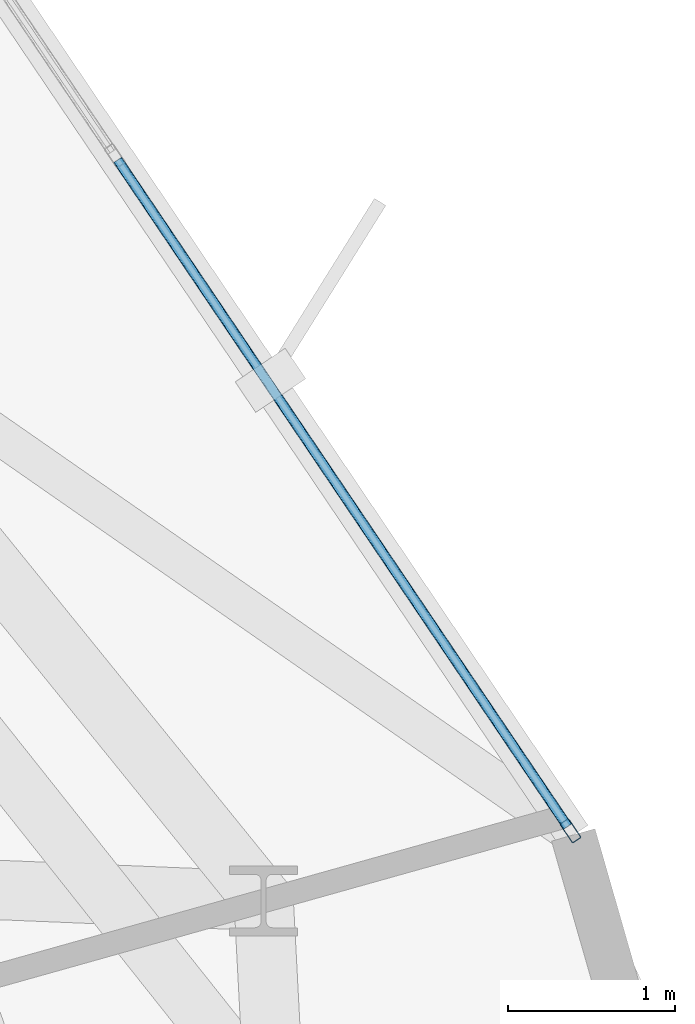
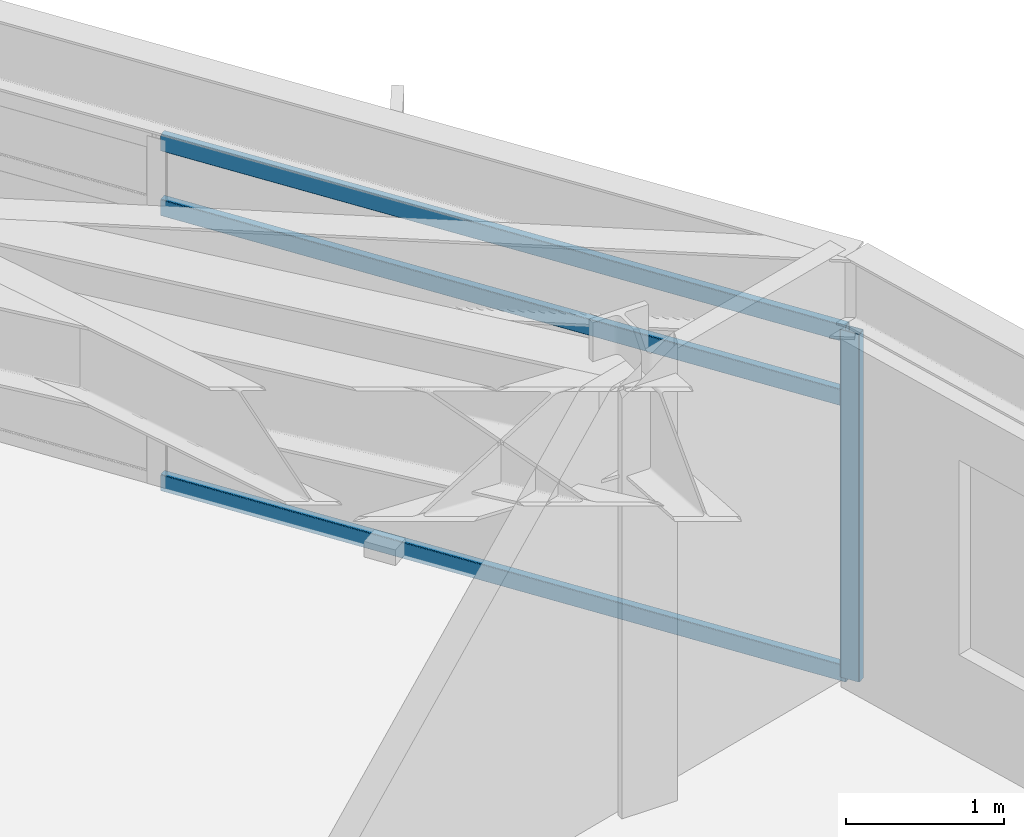
# One storey, part 15 of 30: 4 members, 1 element without a shape of its own.
"""IFC4 building model written with IfcOpenShell, lengths in metres."""

from ifc_helpers import new_model, si_unit, direction, frame, origin, origin_2d, place, context, subcontext, project, spatial, hollow_rectangle, extrude, material, layer, layer_set, material_profile, profile_set, type_object, element, aggregate, save


model = new_model("IFC4")

# Units and contexts
model_context = context("Model", 3, precision=1e-05, world=origin(), true_north=direction((0.0, 1.0)))
body_context = subcontext(model_context, "Body", "Model", "MODEL_VIEW")
ifc_project = project(units=[si_unit("LENGTHUNIT", "METRE"), si_unit("AREAUNIT", "SQUARE_METRE"), si_unit("VOLUMEUNIT", "CUBIC_METRE"), si_unit("PLANEANGLEUNIT", "RADIAN"), si_unit("MASSUNIT", "GRAM", prefix="KILO")], contexts=[model_context])

# Site, building, storey
site_placement = place(None, origin())
site = spatial("IfcSite", under=ifc_project, at=site_placement, CompositionType="ELEMENT")
building_placement = place(site_placement, origin())
building = spatial("IfcBuilding", under=site, at=building_placement, Name="Soratama Intermodal Tower", CompositionType="ELEMENT")
storey_placement = place(building_placement, frame((0.0, 0.0, 223.0)))
storey = spatial("IfcBuildingStorey", under=building, at=storey_placement, Name="L56", CompositionType="ELEMENT", Elevation=223.0)

# Curtain wall, members
ifc_material_1 = material(Name="Double-glazed aluminium curtain wall", Category="aluminium")
ifc_layer = layer(ifc_material_1, 0.159912109375)
ifc_layer_set = layer_set([ifc_layer], Name="Double-glazed aluminium curtain wall")
curtain_wall_type = type_object("IfcCurtainWallType", Name="CW-SYS-5", PredefinedType="NOTDEFINED", material=ifc_layer_set)
curtain_wall_placement = place(storey_placement, origin())
curtain_wall = element("IfcCurtainWall", 1, at=curtain_wall_placement, inside=storey, type_object=curtain_wall_type, Name="L56 Faceted Curtain Wall F10", PredefinedType="NOTDEFINED")
ifc_material_2 = material(Name="Anodised aluminium AA 6063-T6", Category="aluminium")
ifc_material_profile_1 = material_profile(ifc_material_2, hollow_rectangle(XDim=0.06494140625, YDim=0.139892578125, WallThickness=0.0048828125, InnerFilletRadius=0.0048828125, OuterFilletRadius=0.010009765625, at=origin_2d()), Name="CWM140X65X5")
ifc_profile_set_1 = profile_set([ifc_material_profile_1], Name="Anodised aluminium AA 6063-T6")
member_type_1 = type_object("IfcMemberType", Name="MT-CWM-5", PredefinedType="MULLION", material=ifc_profile_set_1)
member_1_placement = place(storey_placement, frame((64.198974609375, 32.08544921875, 0.0), z_axis=(0.0, 0.0, 1.0), x_axis=(-0.828842639505, -0.559481795001, 0.0)))
member_1 = element("IfcMember", 2, at=member_1_placement, type_object=member_type_1, Name="CW-5 mullion 1", PredefinedType="MULLION", context=body_context, shape_type="SweptSolid", body=[
    extrude(hollow_rectangle(XDim=0.06494140625, YDim=0.139892578125, WallThickness=0.0048828125, InnerFilletRadius=0.0048828125, OuterFilletRadius=0.010009765625, at=origin_2d()), origin(), (0.0, 0.0, 1.0), 2.678955078125),
])
ifc_material_3 = material(Name="Anodised aluminium AA 6063-T6", Category="aluminium")
ifc_material_profile_2 = material_profile(ifc_material_3, hollow_rectangle(XDim=0.06005859375, YDim=0.1298828125, WallThickness=0.0048828125, InnerFilletRadius=0.0048828125, OuterFilletRadius=0.010009765625, at=origin_2d()), Name="CWT130X60X5")
ifc_profile_set_2 = profile_set([ifc_material_profile_2], Name="Anodised aluminium AA 6063-T6")
member_type_2 = type_object("IfcMemberType", Name="TT-CWT-2", PredefinedType="USERDEFINED", material=ifc_profile_set_2)
member_2_placement = place(storey_placement, frame((64.18212890625, 32.1103515625, 0.030029296875), z_axis=(-0.559494654224, 0.828833959183, 0.0), x_axis=(-0.828833959183, -0.559494654224, 0.0)))
member_2 = element("IfcMember", 3, at=member_2_placement, type_object=member_type_2, Name="CW-5 transom 1.1", ObjectType="TRANSOM", PredefinedType="USERDEFINED", context=body_context, shape_type="SweptSolid", body=[
    extrude(hollow_rectangle(XDim=0.06005859375, YDim=0.1298828125, WallThickness=0.0048828125, InnerFilletRadius=0.0048828125, OuterFilletRadius=0.010009765625, at=origin_2d()), origin(), (0.0, 0.0, 1.0), 4.80859375),
])
member_3_placement = place(storey_placement, frame((64.18212890625, 32.1103515625, 2.14990234375), z_axis=(-0.559494654224, 0.828833959183, 0.0), x_axis=(-0.828833959183, -0.559494654224, 0.0)))
member_3 = element("IfcMember", 4, at=member_3_placement, type_object=member_type_2, Name="CW-5 transom 1.2", ObjectType="TRANSOM", PredefinedType="USERDEFINED", context=body_context, shape_type="SweptSolid", body=[
    extrude(hollow_rectangle(XDim=0.06005859375, YDim=0.1298828125, WallThickness=0.0048828125, InnerFilletRadius=0.0048828125, OuterFilletRadius=0.010009765625, at=origin_2d()), origin(), (0.0, 0.0, 1.0), 4.80859375),
])
member_4_placement = place(storey_placement, frame((64.18212890625, 32.1103515625, 2.64892578125), z_axis=(-0.559494654224, 0.828833959183, 0.0), x_axis=(-0.828833959183, -0.559494654224, 0.0)))
member_4 = element("IfcMember", 5, at=member_4_placement, type_object=member_type_2, Name="CW-5 transom 1.3", ObjectType="TRANSOM", PredefinedType="USERDEFINED", context=body_context, shape_type="SweptSolid", body=[
    extrude(hollow_rectangle(XDim=0.06005859375, YDim=0.1298828125, WallThickness=0.0048828125, InnerFilletRadius=0.0048828125, OuterFilletRadius=0.010009765625, at=origin_2d()), origin(), (0.0, 0.0, 1.0), 4.80859375),
])
aggregate(curtain_wall, [member_1, member_2, member_3, member_4])

save(model, "model.ifc")
